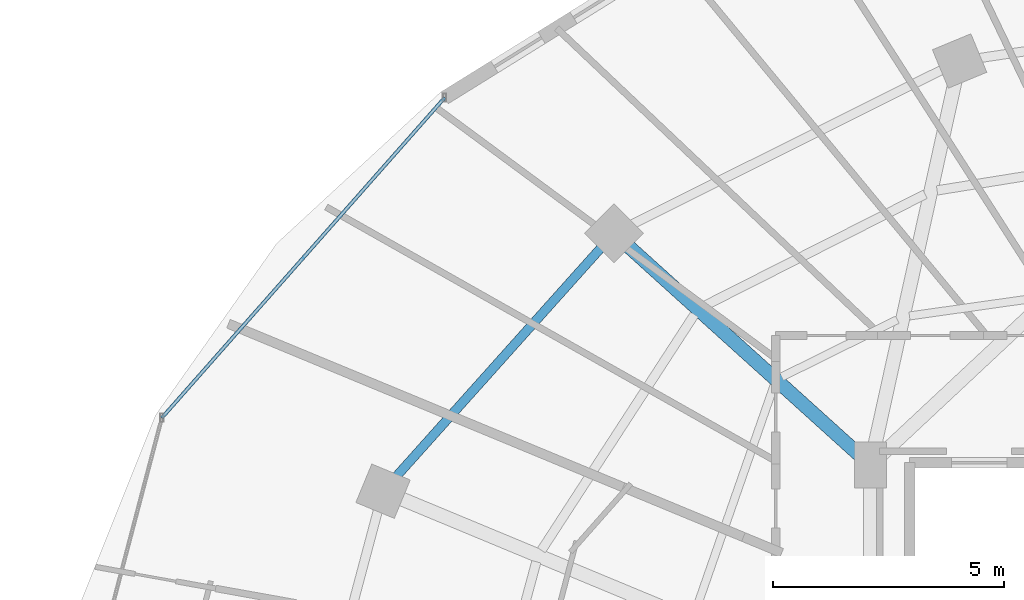
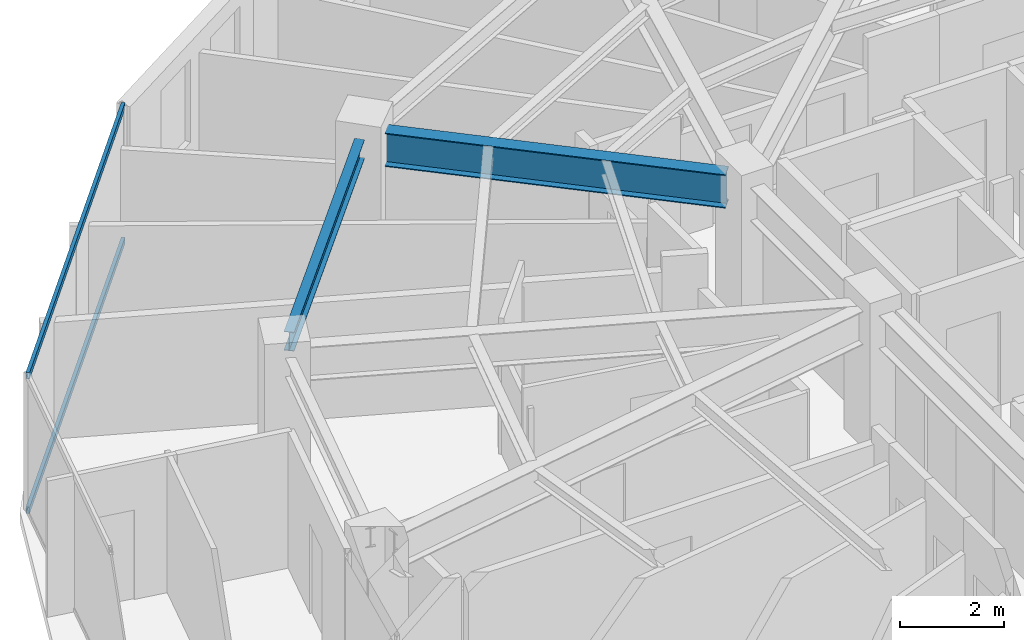
# One storey, part 16 of 33: 2 beams, 2 members, 1 element without a shape of its own.
"""IFC4 building model written with IfcOpenShell, lengths in metres."""

from ifc_helpers import new_model, si_unit, direction, frame, origin, origin_2d, place, context, subcontext, project, spatial, hollow_rectangle, i_section, extrude, material, material_profile, profile_set, type_object, element, aggregate, save


model = new_model("IFC4")

# Units and contexts
model_context = context("Model", 3, precision=1e-05, world=origin(), true_north=direction((0.0, 1.0)))
body_context = subcontext(model_context, "Body", "Model", "MODEL_VIEW")
ifc_project = project(units=[si_unit("LENGTHUNIT", "METRE"), si_unit("AREAUNIT", "SQUARE_METRE"), si_unit("VOLUMEUNIT", "CUBIC_METRE"), si_unit("PLANEANGLEUNIT", "RADIAN"), si_unit("MASSUNIT", "GRAM", prefix="KILO")], contexts=[model_context])

# Site, building, storey
site_placement = place(None, origin())
site = spatial("IfcSite", under=ifc_project, at=site_placement, CompositionType="ELEMENT")
building_placement = place(site_placement, origin())
building = spatial("IfcBuilding", under=site, at=building_placement, Name="Vorneva Point Tower", CompositionType="ELEMENT")
storey_placement = place(building_placement, frame((0.0, 0.0, 221.39990234375)))
storey = spatial("IfcBuildingStorey", under=building, at=storey_placement, Name="L60", CompositionType="ELEMENT", Elevation=221.39990234375)

# Beams
ifc_material_1 = material(Name="Steel S355", Category="steel")
ifc_material_profile_1 = material_profile(ifc_material_1, i_section(OverallWidth=0.300048828125, OverallDepth=0.7880859375, WebThickness=0.014404296875, FlangeThickness=0.02197265625, at=origin_2d()), Name="80Sh1")
ifc_profile_set_1 = profile_set([ifc_material_profile_1], Name="Steel S355")
beam_type_1 = type_object("IfcBeamType", Name="BM-GRD-80Sh1", PredefinedType="USERDEFINED", material=ifc_profile_set_1)
beam_1_placement = place(storey_placement, frame((22.026123046875, 37.86865234375, 2.80615234375), z_axis=(0.742089778537, -0.670300500217, 0.0), x_axis=(0.670300500217, 0.742089778537, 0.0)))
element("IfcBeam", 1, at=beam_1_placement, inside=storey, type_object=beam_type_1, Name="L60 Radial Primary Girder 07", ObjectType="GIRDER", PredefinedType="USERDEFINED", context=body_context, shape_type="SweptSolid", body=[
    extrude(i_section(OverallWidth=0.300048828125, OverallDepth=0.7880859375, WebThickness=0.014404296875, FlangeThickness=0.02197265625, at=origin_2d()), origin(), (0.0, 0.0, 1.0), 6.699462890625),
])
ifc_material_profile_2 = material_profile(ifc_material_1, i_section(OverallWidth=0.198974609375, OverallDepth=0.446044921875, WebThickness=0.008056640625, FlangeThickness=0.011962890625, at=origin_2d()), Name="45B1")
ifc_profile_set_2 = profile_set([ifc_material_profile_2], Name="Steel S355")
beam_type_2 = type_object("IfcBeamType", Name="BM-SPN-45B1", PredefinedType="SPANDREL", material=ifc_profile_set_2)
beam_2_placement = place(storey_placement, frame((21.410888671875, 37.838134765625, 2.97705078125), z_axis=(-0.66706970547, -0.744995307397, 0.0), x_axis=(0.744995307397, -0.66706970547, 0.0)))
element("IfcBeam", 2, at=beam_2_placement, inside=storey, type_object=beam_type_2, Name="L60 Perimeter Spandrel Ring Beam 07", PredefinedType="SPANDREL", context=body_context, shape_type="SweptSolid", body=[
    extrude(i_section(OverallWidth=0.198974609375, OverallDepth=0.446044921875, WebThickness=0.008056640625, FlangeThickness=0.011962890625, at=origin_2d()), origin(), (0.0, 0.0, 1.0), 6.6201171875),
])

# Curtain wall, members
ifc_material_2 = material(Name="Pale anodised aluminium", Category="aluminium")
curtain_wall_type = type_object("IfcCurtainWallType", Name="CW-RES-SYS", PredefinedType="NOTDEFINED", material=ifc_material_2)
curtain_wall_placement = place(storey_placement, origin())
curtain_wall = element("IfcCurtainWall", 3, at=curtain_wall_placement, inside=storey, type_object=curtain_wall_type, Name="L60 Unitised Curtain Wall CW-L60-R02", PredefinedType="NOTDEFINED")
ifc_material_profile_3 = material_profile(ifc_material_2, hollow_rectangle(XDim=0.074951171875, YDim=0.14990234375, WallThickness=0.00390625, at=origin_2d()), Name="AL-TRN 150x75x4")
ifc_profile_set_3 = profile_set([ifc_material_profile_3], Name="Pale anodised aluminium")
member_type = type_object("IfcMemberType", Name="CW-TRN-150", PredefinedType="USERDEFINED", material=ifc_profile_set_3)
member_1_placement = place(storey_placement, frame((18.038330078125, 41.0966796875, 0.02001953125), z_axis=(-0.662106383869, -0.749409858782, 0.0), x_axis=(0.749409858782, -0.662106383869, 0.0)))
member_1 = element("IfcMember", 4, at=member_1_placement, type_object=member_type, Name="CW-L60-R02 Transom 01.1", ObjectType="TRANSOM", PredefinedType="USERDEFINED", context=body_context, shape_type="SweptSolid", body=[
    extrude(hollow_rectangle(XDim=0.074951171875, YDim=0.14990234375, WallThickness=0.00390625, at=origin_2d()), origin(), (0.0, 0.0, 1.0), 9.2421875),
])
member_2_placement = place(storey_placement, frame((18.038330078125, 41.0966796875, 3.18017578125), z_axis=(-0.662106383869, -0.749409858782, 0.0), x_axis=(0.749409858782, -0.662106383869, 0.0)))
member_2 = element("IfcMember", 5, at=member_2_placement, type_object=member_type, Name="CW-L60-R02 Transom 01.2", ObjectType="TRANSOM", PredefinedType="USERDEFINED", context=body_context, shape_type="SweptSolid", body=[
    extrude(hollow_rectangle(XDim=0.074951171875, YDim=0.14990234375, WallThickness=0.00390625, at=origin_2d()), origin(), (0.0, 0.0, 1.0), 9.2421875),
])
aggregate(curtain_wall, [member_1, member_2])

save(model, "model.ifc")
